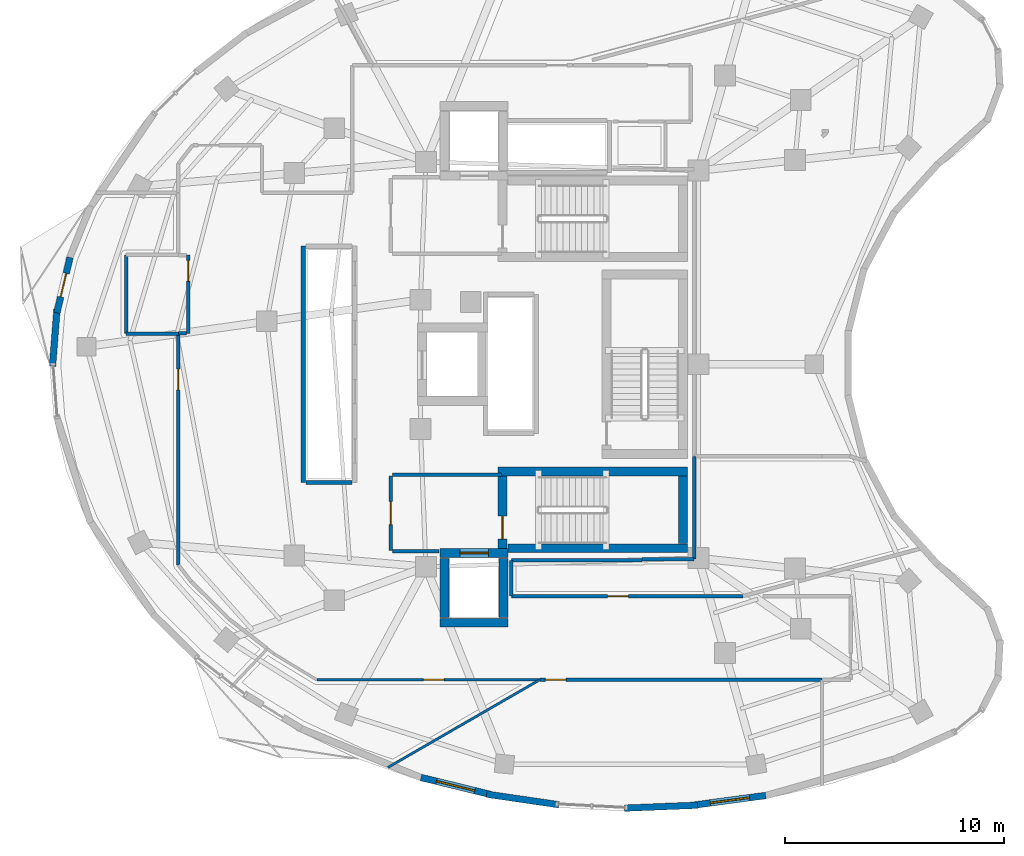
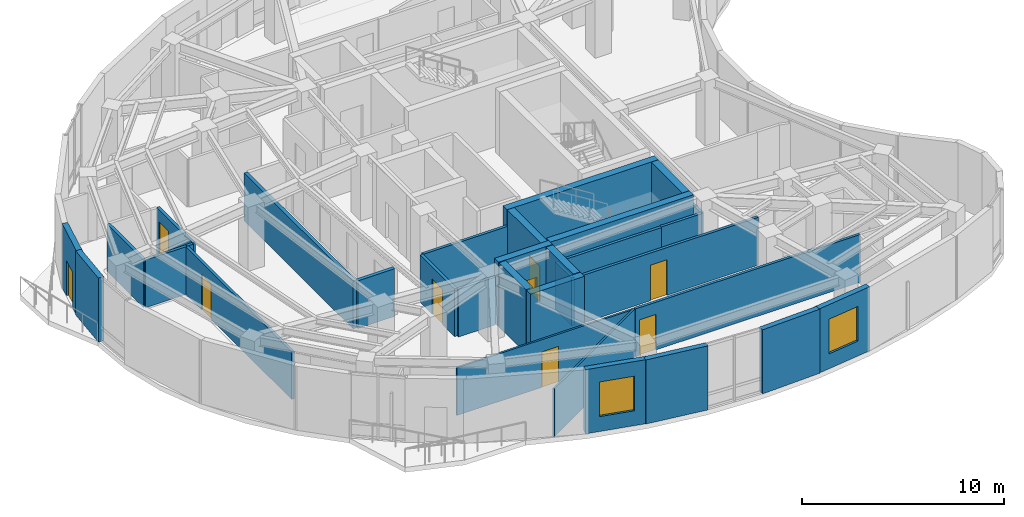
# One storey, part 7 of 13: 32 walls, 9 doors, 2 windows, 11 openings.
"""IFC4 building model written with IfcOpenShell, lengths in metres."""

import ifcopenshell
import ifcopenshell.guid

model = None  # the IFC model being written
_history = None  # IfcOwnerHistory: only IFC2X3 demands one
_inside = {}  # id of a spatial element -> (the spatial element, [elements in it])
_under = {}  # id of a project, library or spatial element -> (it, [spatial elements below it])
_declared = {}  # id of a project -> (the project, [libraries it declares])
_typed = {}  # id of a type object -> (the type object, [elements of that type])
_made_of = {}  # id of a material, layer set ... -> (it, [elements and type objects made of it])


def new_model(schema):
    """Start an empty IFC model of exactly this schema.

    Asked for "IFC4X3", IfcOpenShell would pick the latest addendum, in which some entities
    have other attributes; the version numbers below select the first issue.
    IFC2X3 requires an IfcOwnerHistory on every rooted entity: one is made here for all.
    """
    global model, _history
    if schema == "IFC4X3":
        model = ifcopenshell.file(schema_version=(4, 3, 0, 0))
    else:
        model = ifcopenshell.file(schema=schema)
    _inside.clear()
    _under.clear()
    _declared.clear()
    _typed.clear()
    _made_of.clear()
    _history = None
    if model.schema == "IFC2X3":
        org = make("IfcOrganization", Name="unknown")
        user = make(
            "IfcPersonAndOrganization",
            ThePerson=make("IfcPerson", FamilyName="unknown"),
            TheOrganization=org,
        )
        app = make(
            "IfcApplication",
            ApplicationDeveloper=org,
            Version="unknown",
            ApplicationFullName="unknown",
            ApplicationIdentifier="unknown",
        )
        _history = make(
            "IfcOwnerHistory",
            OwningUser=user,
            OwningApplication=app,
            ChangeAction="ADDED",
            CreationDate=0,
        )
    return model


def make(cls, **values):
    """One entity of the class cls with the attributes given. An attribute that is None is left unset."""
    return model.create_entity(
        cls, **{name: value for name, value in values.items() if value is not None}
    )


def rooted(cls, **values):
    """An entity with a GlobalId (a new one), such as an element, a storey or a relation."""
    return make(cls, GlobalId=ifcopenshell.guid.new(), OwnerHistory=_history, **values)


def si_unit(unit_type, name, prefix=None):
    """IfcSIUnit, for example si_unit("LENGTHUNIT", "METRE", prefix="MILLI")."""
    return make("IfcSIUnit", UnitType=unit_type, Prefix=prefix, Name=name)


def assignment(units):
    """IfcUnitAssignment: the units of a project."""
    return None if units is None else make("IfcUnitAssignment", Units=units)


def point(xyz):
    """IfcCartesianPoint."""
    return None if xyz is None else make("IfcCartesianPoint", Coordinates=xyz)


def direction(xyz):
    """IfcDirection."""
    return None if xyz is None else make("IfcDirection", DirectionRatios=xyz)


def frame(location, z_axis=None, x_axis=None):
    """IfcAxis2Placement3D, a coordinate frame: its origin and axes. An axis left out is left unset."""
    return make(
        "IfcAxis2Placement3D",
        Location=point(location),
        Axis=direction(z_axis),
        RefDirection=direction(x_axis),
    )


def frame_2d(location, x_axis=None):
    """IfcAxis2Placement2D, a coordinate frame in the plane: its origin and x axis."""
    return make(
        "IfcAxis2Placement2D", Location=point(location), RefDirection=direction(x_axis)
    )


def origin():
    """The frame at (0, 0, 0) with its axes left unset."""
    return frame((0.0, 0.0, 0.0))


def place(relative_to, where):
    """IfcLocalPlacement: puts the frame where relative to a parent placement (None: the world)."""
    return make(
        "IfcLocalPlacement", PlacementRelTo=relative_to, RelativePlacement=where
    )


def context(
    kind, dimensions, precision=None, world=None, true_north=None, identifier=None
):
    """IfcGeometricRepresentationContext, for example the 3D "Model" context."""
    return make(
        "IfcGeometricRepresentationContext",
        ContextIdentifier=identifier,
        ContextType=kind,
        CoordinateSpaceDimension=dimensions,
        Precision=precision,
        WorldCoordinateSystem=world,
        TrueNorth=true_north,
    )


def subcontext(parent, identifier, kind, view, scale=None):
    """IfcGeometricRepresentationSubContext, for example "Body" below "Model"."""
    return make(
        "IfcGeometricRepresentationSubContext",
        ContextIdentifier=identifier,
        ContextType=kind,
        ParentContext=parent,
        TargetScale=scale,
        TargetView=view,
    )


def project(units=None, contexts=None):
    """IfcProject with its units and contexts."""
    return rooted(
        "IfcProject",
        Name="project",
        RepresentationContexts=contexts,
        UnitsInContext=assignment(units),
    )


def spatial(cls, under=None, at=None, **own):
    """A site, building, storey or space (cls), placed at a placement, below another one or the project."""
    s = rooted(cls, ObjectPlacement=at, **own)
    if under is not None:
        _under.setdefault(under.id(), (under, []))[1].append(s)
    return s


def profile(cls, at=None, kind="AREA", **sizes):
    """A parametric profile (cls). Its sizes go by their IFC names, for example OverallWidth=200.0."""
    return make(cls, ProfileType=kind, Position=at, **sizes)


def rectangle(**sizes):
    """IfcRectangleProfileDef."""
    return profile("IfcRectangleProfileDef", **sizes)


def extrude(swept, where, along, depth):
    """IfcExtrudedAreaSolid: the profile swept, set in the frame where, extruded along a direction by depth."""
    return make(
        "IfcExtrudedAreaSolid",
        SweptArea=swept,
        Position=where,
        ExtrudedDirection=direction(along),
        Depth=depth,
    )


def shape(context_of_items, identifier, shape_type, items):
    """IfcShapeRepresentation: the items that make up one representation, for example the "Body"."""
    return make(
        "IfcShapeRepresentation",
        ContextOfItems=context_of_items,
        RepresentationIdentifier=identifier,
        RepresentationType=shape_type,
        Items=items,
    )


def material(Name=None, Category=None):
    """IfcMaterial."""
    return make("IfcMaterial", Name=Name, Category=Category)


def layer(
    of_material, thickness, ventilated=None, Name=None, Category=None, Priority=None
):
    """IfcMaterialLayer: one layer of a wall or slab, of a material (None: an air gap)."""
    return make(
        "IfcMaterialLayer",
        Material=of_material,
        LayerThickness=thickness,
        IsVentilated=ventilated,
        Name=Name,
        Category=Category,
        Priority=Priority,
    )


def layer_set(layers, Name=None):
    """IfcMaterialLayerSet."""
    return make("IfcMaterialLayerSet", MaterialLayers=layers, LayerSetName=Name)


def made_of(thing, what):
    """Note that an element or type object is made of a material, layer set ...; save() writes the relation."""
    if what is not None:
        _made_of.setdefault(what.id(), (what, []))[1].append(thing)
    return thing


def type_object(cls, material=None, **own):
    """A type object (cls), such as IfcWallType, which elements share."""
    return made_of(rooted(cls, **own), material)


def element(
    cls,
    number,
    at=None,
    inside=None,
    cuts=None,
    type_object=None,
    material=None,
    context=None,
    identifier="Body",
    shape_type=None,
    held_by="IfcProductDefinitionShape",
    body=None,
    shapes=None,
    **own,
):
    """One element of the class cls, such as IfcWall. Its Tag is "e" and its number.

    at: its placement. inside: the storey or other place that contains it. cuts: it is an
    opening in that element (IfcRelVoidsElement). A single representation is given by context,
    identifier, shape_type and body (its items); several are given by shapes. held_by: the class
    of the entity that holds the representations. save() writes the other relations.
    """
    e = rooted(cls, Tag="e%d" % number, ObjectPlacement=at, **own)
    if body is not None:
        shapes = [shape(context, identifier, shape_type, body)]
    if shapes is not None:
        e.Representation = make(held_by, Representations=shapes)
    if inside is not None:
        _inside.setdefault(inside.id(), (inside, []))[1].append(e)
    if cuts is not None:
        rooted(
            "IfcRelVoidsElement", RelatingBuildingElement=cuts, RelatedOpeningElement=e
        )
    if type_object is not None:
        _typed.setdefault(type_object.id(), (type_object, []))[1].append(e)
    return made_of(e, material)


def fill(opening, filler):
    """IfcRelFillsElement: the door or window that sits in an opening."""
    return rooted(
        "IfcRelFillsElement",
        RelatingOpeningElement=opening,
        RelatedBuildingElement=filler,
    )


def aggregate(whole, parts):
    """IfcRelAggregates: a whole, such as a stair, and the parts it consists of."""
    return rooted("IfcRelAggregates", RelatingObject=whole, RelatedObjects=parts)


def save(model, path):
    """Write the relations noted so far, then the file.

    IfcRelAggregates (storeys below a building ...), IfcRelContainedInSpatialStructure (elements
    in a storey), IfcRelDefinesByType, IfcRelAssociatesMaterial and IfcRelDeclares: one each for
    every whole, place, type object, material and project.
    """
    for whole, parts in _under.values():
        aggregate(whole, parts)
    for where, things in _inside.values():
        rooted(
            "IfcRelContainedInSpatialStructure",
            RelatedElements=things,
            RelatingStructure=where,
        )
    for kind, things in _typed.values():
        rooted("IfcRelDefinesByType", RelatedObjects=things, RelatingType=kind)
    for what, things in _made_of.values():
        rooted("IfcRelAssociatesMaterial", RelatedObjects=things, RelatingMaterial=what)
    for by, libraries in _declared.values():
        rooted("IfcRelDeclares", RelatingContext=by, RelatedDefinitions=libraries)
    model.write(path)


model = new_model("IFC4")

# Units and contexts
model_context = context("Model", 3, precision=1e-05, world=origin(), true_north=direction((0.0, 1.0)))
body_context = subcontext(model_context, "Body", "Model", "MODEL_VIEW")
ifc_project = project(units=[si_unit("LENGTHUNIT", "METRE"), si_unit("AREAUNIT", "SQUARE_METRE"), si_unit("VOLUMEUNIT", "CUBIC_METRE"), si_unit("PLANEANGLEUNIT", "RADIAN"), si_unit("MASSUNIT", "GRAM", prefix="KILO")], contexts=[model_context])

# Site, building, storey
site_placement = place(None, origin())
site = spatial("IfcSite", under=ifc_project, at=site_placement, CompositionType="ELEMENT")
building_placement = place(site_placement, origin())
building = spatial("IfcBuilding", under=site, at=building_placement, Name="Korentha Bioscience Tower", CompositionType="ELEMENT")
storey_placement = place(building_placement, frame((0.0, 0.0, 273.0)))
storey = spatial("IfcBuildingStorey", under=building, at=storey_placement, Name="L63", CompositionType="ELEMENT", Elevation=273.0)

# Wall, opening, door
ifc_material_1 = material(Name="Double-Stud Acoustic Gypsum", Category="gypsum")
ifc_layer_1 = layer(ifc_material_1, 0.14990234375, Name="Double-Stud Acoustic Gypsum")
ifc_layer_set_1 = layer_set([ifc_layer_1], Name="Double-Stud Acoustic Gypsum (IW-L150)")
wall_type_1 = type_object("IfcWallType", Name="Acoustic Laboratory Partition Wall 150", PredefinedType="PARTITIONING", material=ifc_layer_set_1)
wall_1_placement = place(storey_placement, frame((30.314453125, 12.590087890625, 0.0), z_axis=(0.0, 0.0, 1.0), x_axis=(1.0, 0.0, 0.0)))
wall_1 = element("IfcWall", 1, at=wall_1_placement, inside=storey, type_object=wall_type_1, Name="L63 Staff Pantry Kitchenette 02 Entrance Wall", PredefinedType="PARTITIONING", context=body_context, shape_type="SweptSolid", body=[
    extrude(rectangle(XDim=12.883544921875, YDim=0.14990234375, at=frame_2d((6.44189453125, 0.0))), origin(), (0.0, 0.0, 1.0), 2.889892578125),
])
opening_1_placement = place(wall_1_placement, frame((0.239990234375, 0.0, 0.0)))
opening_1 = element("IfcOpeningElement", 2, at=opening_1_placement, cuts=wall_1, Name="Opening ID-10L", PredefinedType="OPENING", context=body_context, shape_type="SweptSolid", body=[
    extrude(rectangle(XDim=0.949951171875, YDim=2.14990234375, at=frame_2d((0.47509765625, 1.074951171875))), frame((0.0, 0.08984375, 0.0), z_axis=(0.0, -1.0, 0.0), x_axis=(1.0, 0.0, 0.0)), (0.0, 0.0, 1.0), 0.1796875),
])
ifc_material_2 = material(Name="Phenolic Laminate Timber Core", Category="wood")
door_type_1 = type_object("IfcDoorType", Name="Laboratory Single Leaf Door 950x2150 Left", OperationType="SINGLE_SWING_LEFT", PredefinedType="DOOR", material=ifc_material_2)
door_1_placement = place(opening_1_placement, origin())
door_1 = element("IfcDoor", 3, at=door_1_placement, inside=storey, type_object=door_type_1, Name="L63 Staff Pantry Kitchenette 02 Door", OperationType="SINGLE_SWING_LEFT", OverallHeight=2.14990234375, OverallWidth=0.949951171875, PredefinedType="DOOR", context=body_context, shape_type="SweptSolid", body=[
    extrude(rectangle(XDim=0.949951171875, YDim=2.14990234375, at=frame_2d((0.47509765625, 1.074951171875))), frame((0.0, 0.02490234375, 0.0), z_axis=(0.0, -1.0, 0.0), x_axis=(1.0, 0.0, 0.0)), (0.0, 0.0, 1.0), 0.050048828125),
])
fill(opening_1, door_1)

wall_2_placement = place(storey_placement, frame((13.7900390625, 28.389892578125, 0.0), z_axis=(0.0, 0.0, 1.0), x_axis=(0.0, -1.0, 0.0)))
wall_2 = element("IfcWall", 4, at=wall_2_placement, inside=storey, type_object=wall_type_1, Name="L63 Sky-Lobby Passenger Transfer Concourse 07 Entrance Wall", PredefinedType="PARTITIONING", context=body_context, shape_type="SweptSolid", body=[
    extrude(rectangle(XDim=10.5546875, YDim=0.14990234375, at=frame_2d((5.27734375, 0.0))), origin(), (0.0, 0.0, 1.0), 2.889892578125),
])
opening_2_placement = place(wall_2_placement, frame((1.6123046875, 0.0, 0.0)))
opening_2 = element("IfcOpeningElement", 5, at=opening_2_placement, cuts=wall_2, Name="Opening ID-10R", PredefinedType="OPENING", context=body_context, shape_type="SweptSolid", body=[
    extrude(rectangle(XDim=0.949951171875, YDim=2.14990234375, at=frame_2d((0.47509765625, 1.074951171875))), frame((0.0, 0.08984375, 0.0), z_axis=(0.0, -1.0, 0.0), x_axis=(1.0, 0.0, 0.0)), (0.0, 0.0, 1.0), 0.1796875),
])
door_type_2 = type_object("IfcDoorType", Name="Laboratory Single Leaf Door 950x2150 Right", OperationType="SINGLE_SWING_RIGHT", PredefinedType="DOOR", material=ifc_material_2)
door_2_placement = place(opening_2_placement, origin())
door_2 = element("IfcDoor", 6, at=door_2_placement, inside=storey, type_object=door_type_2, Name="L63 Sky-Lobby Passenger Transfer Concourse 07 Door", OperationType="SINGLE_SWING_RIGHT", OverallHeight=2.14990234375, OverallWidth=0.949951171875, PredefinedType="DOOR", context=body_context, shape_type="SweptSolid", body=[
    extrude(rectangle(XDim=0.949951171875, YDim=2.14990234375, at=frame_2d((0.47509765625, 1.074951171875))), frame((0.0, 0.02490234375, 0.0), z_axis=(0.0, -1.0, 0.0), x_axis=(1.0, 0.0, 0.0)), (0.0, 0.0, 1.0), 0.050048828125),
])
fill(opening_2, door_2)

ifc_material_3 = material(Name="Fire-Rated Framed Glass", Category="glass")
ifc_layer_2 = layer(ifc_material_3, 0.110107421875, Name="Fire-Rated Framed Glass")
ifc_layer_set_2 = layer_set([ifc_layer_2], Name="Fire-Rated Framed Glass (IW-G110)")
wall_type_2 = type_object("IfcWallType", Name="Demountable Glazed Office Partition 110", PredefinedType="MOVABLE", material=ifc_layer_set_2)
wall_3_placement = place(storey_placement, frame((20.114013671875, 12.590087890625, 0.0), z_axis=(0.0, 0.0, 1.0), x_axis=(1.0, 0.0, 0.0)))
wall_3 = element("IfcWall", 7, at=wall_3_placement, inside=storey, type_object=wall_type_2, Name="L63 Research Colloquium Seminar Room 01 Entrance Wall", PredefinedType="MOVABLE", context=body_context, shape_type="SweptSolid", body=[
    extrude(rectangle(XDim=10.1884765625, YDim=0.110107421875, at=frame_2d((5.09423828125, 0.0))), origin(), (0.0, 0.0, 1.0), 2.889892578125),
])
opening_3_placement = place(wall_3_placement, frame((4.86962890625, 0.0, 0.0)))
opening_3 = element("IfcOpeningElement", 8, at=opening_3_placement, cuts=wall_3, Name="Opening ID-10R", PredefinedType="OPENING", context=body_context, shape_type="SweptSolid", body=[
    extrude(rectangle(XDim=0.949951171875, YDim=2.14990234375, at=frame_2d((0.47509765625, 1.074951171875))), frame((0.0, 0.06982421875, 0.0), z_axis=(0.0, -1.0, 0.0), x_axis=(1.0, 0.0, 0.0)), (0.0, 0.0, 1.0), 0.139892578125),
])
door_3_placement = place(opening_3_placement, origin())
door_3 = element("IfcDoor", 9, at=door_3_placement, inside=storey, type_object=door_type_2, Name="L63 Research Colloquium Seminar Room 01 Door", OperationType="SINGLE_SWING_RIGHT", OverallHeight=2.14990234375, OverallWidth=0.949951171875, PredefinedType="DOOR", context=body_context, shape_type="SweptSolid", body=[
    extrude(rectangle(XDim=0.949951171875, YDim=2.14990234375, at=frame_2d((0.47509765625, 1.074951171875))), frame((0.0, 0.02490234375, 0.0), z_axis=(0.0, -1.0, 0.0), x_axis=(1.0, 0.0, 0.0)), (0.0, 0.0, 1.0), 0.050048828125),
])
fill(opening_3, door_3)

# Wall
wall_4_placement = place(storey_placement, frame((30.302490234375, 12.590087890625, 0.0), z_axis=(0.0, 0.0, 1.0), x_axis=(-0.866017589642, -0.500013534248, 0.0)))
element("IfcWall", 10, at=wall_4_placement, inside=storey, type_object=wall_type_2, Name="L63 Interior Partition 020", PredefinedType="MOVABLE", context=body_context, shape_type="SweptSolid", body=[
    extrude(rectangle(XDim=8.010498046875, YDim=0.110107421875, at=frame_2d((4.00537109375, 0.0))), origin(), (0.0, 0.0, 1.0), 2.889892578125),
])

# Wall, opening, door
ifc_material_4 = material(Name="Gypsum-Clad Steel Stud", Category="steel")
ifc_layer_3 = layer(ifc_material_4, 0.159912109375, Name="Gypsum-Clad Steel Stud")
ifc_layer_set_3 = layer_set([ifc_layer_3], Name="Gypsum-Clad Steel Stud (IW-C160)")
wall_type_3 = type_object("IfcWallType", Name="Fire-Rated Corridor Partition Wall 160", PredefinedType="PARTITIONING", material=ifc_layer_set_3)
wall_5_placement = place(storey_placement, frame((23.5, 18.5, 0.0), z_axis=(0.0, 0.0, 1.0), x_axis=(0.0, 1.0, 0.0)))
wall_5 = element("IfcWall", 11, at=wall_5_placement, inside=storey, type_object=wall_type_3, Name="L63 FFLS-CW Rated Enclosure Wall", PredefinedType="PARTITIONING", context=body_context, shape_type="SweptSolid", body=[
    extrude(rectangle(XDim=3.39990234375, YDim=0.159912109375, at=frame_2d((1.699951171875, 0.0))), origin(), (0.0, 0.0, 1.0), 2.889892578125),
])
opening_4_placement = place(wall_5_placement, frame((1.175048828125, 0.0, 0.0)))
opening_4 = element("IfcOpeningElement", 12, at=opening_4_placement, cuts=wall_5, Name="Opening FD-90R", PredefinedType="OPENING", context=body_context, shape_type="SweptSolid", body=[
    extrude(rectangle(XDim=1.050048828125, YDim=2.14990234375, at=frame_2d((0.52490234375, 1.074951171875))), frame((0.0, 0.0947265625, 0.0), z_axis=(0.0, -1.0, 0.0), x_axis=(1.0, 0.0, 0.0)), (0.0, 0.0, 1.0), 0.189697265625),
])
ifc_material_5 = material(Name="Powder-Coated Fire-Rated Steel", Category="steel")
door_type_3 = type_object("IfcDoorType", Name="Stairwell Fire Exit Door 1050x2150 Right", OperationType="SINGLE_SWING_RIGHT", PredefinedType="DOOR", material=ifc_material_5)
door_4_placement = place(opening_4_placement, origin())
door_4 = element("IfcDoor", 13, at=door_4_placement, inside=storey, type_object=door_type_3, Name="L63 South Firefighting Lobby Door", OperationType="SINGLE_SWING_RIGHT", OverallHeight=2.14990234375, OverallWidth=1.050048828125, PredefinedType="DOOR", context=body_context, shape_type="SweptSolid", body=[
    extrude(rectangle(XDim=1.050048828125, YDim=2.14990234375, at=frame_2d((0.52490234375, 1.074951171875))), frame((0.0, 0.02490234375, 0.0), z_axis=(0.0, -1.0, 0.0), x_axis=(1.0, 0.0, 0.0)), (0.0, 0.0, 1.0), 0.050048828125),
])
fill(opening_4, door_4)

# Walls
wall_6_placement = place(storey_placement, frame((23.580078125, 21.949951171875, 0.0), z_axis=(0.0, 0.0, 1.0), x_axis=(1.0, 0.0, 0.0)))
element("IfcWall", 14, at=wall_6_placement, inside=storey, type_object=wall_type_3, Name="L63 Firefighting Lobby Return Wall FFLS-N", PredefinedType="PARTITIONING", context=body_context, shape_type="SweptSolid", body=[
    extrude(rectangle(XDim=4.969970703125, YDim=0.159912109375, at=frame_2d((2.48486328125, 0.0))), origin(), (0.0, 0.0, 1.0), 2.889892578125),
])
wall_7_placement = place(storey_placement, frame((23.580078125, 18.449951171875, 0.0), z_axis=(0.0, 0.0, 1.0), x_axis=(1.0, 0.0, 0.0)))
element("IfcWall", 15, at=wall_7_placement, inside=storey, type_object=wall_type_3, Name="L63 Firefighting Lobby Return Wall FFLS-S", PredefinedType="PARTITIONING", context=body_context, shape_type="SweptSolid", body=[
    extrude(rectangle(XDim=2.119873046875, YDim=0.159912109375, at=frame_2d((1.06005859375, 0.0))), origin(), (0.0, 0.0, 1.0), 2.889892578125),
])

# Wall, opening, door
wall_8_placement = place(storey_placement, frame((14.239990234375, 31.989990234375, 0.0), z_axis=(0.0, 0.0, 1.0), x_axis=(0.0, -1.0, 0.0)))
wall_8 = element("IfcWall", 16, at=wall_8_placement, inside=storey, type_object=wall_type_3, Name="L63 Reclaimed Bank-1 North Data Closet Entrance Wall", PredefinedType="PARTITIONING", context=body_context, shape_type="SweptSolid", body=[
    extrude(rectangle(XDim=3.580078125, YDim=0.159912109375, at=frame_2d((1.7900390625, 0.0))), origin(), (0.0, 0.0, 1.0), 2.889892578125),
])
opening_5_placement = place(wall_8_placement, frame((0.239990234375, 0.0, 0.0)))
opening_5 = element("IfcOpeningElement", 17, at=opening_5_placement, cuts=wall_8, Name="Opening ID-10L", PredefinedType="OPENING", context=body_context, shape_type="SweptSolid", body=[
    extrude(rectangle(XDim=0.949951171875, YDim=2.14990234375, at=frame_2d((0.47509765625, 1.074951171875))), frame((0.0, 0.0947265625, 0.0), z_axis=(0.0, -1.0, 0.0), x_axis=(1.0, 0.0, 0.0)), (0.0, 0.0, 1.0), 0.189697265625),
])
door_5_placement = place(opening_5_placement, origin())
door_5 = element("IfcDoor", 18, at=door_5_placement, inside=storey, type_object=door_type_1, Name="L63 Reclaimed Bank-1 North Data Closet Door", OperationType="SINGLE_SWING_LEFT", OverallHeight=2.14990234375, OverallWidth=0.949951171875, PredefinedType="DOOR", context=body_context, shape_type="SweptSolid", body=[
    extrude(rectangle(XDim=0.949951171875, YDim=2.14990234375, at=frame_2d((0.47509765625, 1.074951171875))), frame((0.0, 0.02490234375, 0.0), z_axis=(0.0, -1.0, 0.0), x_axis=(1.0, 0.0, 0.0)), (0.0, 0.0, 1.0), 0.050048828125),
])
fill(opening_5, door_5)

wall_9_placement = place(storey_placement, frame((39.5830078125, 16.409912109375, 0.0), z_axis=(0.0, 0.0, 1.0), x_axis=(-1.0, 0.0, 0.0)))
wall_9 = element("IfcWall", 19, at=wall_9_placement, inside=storey, type_object=wall_type_3, Name="L63 Biospecimen Archive Store 03 Entrance Wall", PredefinedType="PARTITIONING", context=body_context, shape_type="SweptSolid", body=[
    extrude(rectangle(XDim=10.5830078125, YDim=0.159912109375, at=frame_2d((5.29150390625, 0.0))), origin(), (0.0, 0.0, 1.0), 2.889892578125),
])
opening_6_placement = place(wall_9_placement, frame((5.236572265625, 0.0, 0.0)))
opening_6 = element("IfcOpeningElement", 20, at=opening_6_placement, cuts=wall_9, Name="Opening ID-10R", PredefinedType="OPENING", context=body_context, shape_type="SweptSolid", body=[
    extrude(rectangle(XDim=0.949951171875, YDim=2.14990234375, at=frame_2d((0.47509765625, 1.074951171875))), frame((0.0, 0.0947265625, 0.0), z_axis=(0.0, -1.0, 0.0), x_axis=(1.0, 0.0, 0.0)), (0.0, 0.0, 1.0), 0.189697265625),
])
door_6_placement = place(opening_6_placement, origin())
door_6 = element("IfcDoor", 21, at=door_6_placement, inside=storey, type_object=door_type_2, Name="L63 Biospecimen Archive Store 03 Door", OperationType="SINGLE_SWING_RIGHT", OverallHeight=2.14990234375, OverallWidth=0.949951171875, PredefinedType="DOOR", context=body_context, shape_type="SweptSolid", body=[
    extrude(rectangle(XDim=0.949951171875, YDim=2.14990234375, at=frame_2d((0.47509765625, 1.074951171875))), frame((0.0, 0.02490234375, 0.0), z_axis=(0.0, -1.0, 0.0), x_axis=(1.0, 0.0, 0.0)), (0.0, 0.0, 1.0), 0.050048828125),
])
fill(opening_6, door_6)

# Walls
wall_10_placement = place(storey_placement, frame((14.156982421875, 28.409912109375, 0.0), z_axis=(0.0, 0.0, 1.0), x_axis=(-1.0, 0.0, 0.0)))
element("IfcWall", 22, at=wall_10_placement, inside=storey, type_object=wall_type_3, Name="L63 Interior Partition 014", PredefinedType="PARTITIONING", context=body_context, shape_type="SweptSolid", body=[
    extrude(rectangle(XDim=0.35693359375, YDim=0.159912109375, at=frame_2d((0.178466796875, 0.0))), origin(), (0.0, 0.0, 1.0), 2.889892578125),
])
wall_11_placement = place(storey_placement, frame((13.7900390625, 28.39990234375, 0.0), z_axis=(0.0, 0.0, 1.0), x_axis=(-1.0, 0.0, 0.0)))
element("IfcWall", 23, at=wall_11_placement, inside=storey, type_object=wall_type_3, Name="L63 Interior Partition 015", PredefinedType="PARTITIONING", context=body_context, shape_type="SweptSolid", body=[
    extrude(rectangle(XDim=2.39013671875, YDim=0.159912109375, at=frame_2d((1.195068359375, 0.0))), origin(), (0.0, 0.0, 1.0), 2.889892578125),
])
wall_12_placement = place(storey_placement, frame((11.39990234375, 28.39990234375, 0.0), z_axis=(0.0, 0.0, 1.0), x_axis=(0.0, 1.0, 0.0)))
element("IfcWall", 24, at=wall_12_placement, inside=storey, type_object=wall_type_3, Name="L63 Interior Partition 016", PredefinedType="PARTITIONING", context=body_context, shape_type="SweptSolid", body=[
    extrude(rectangle(XDim=3.60009765625, YDim=0.159912109375, at=frame_2d((1.800048828125, 0.0))), origin(), (0.0, 0.0, 1.0), 2.889892578125),
])
wall_13_placement = place(storey_placement, frame((29.000244140625, 18.048095703125, 0.0), z_axis=(0.0, 0.0, 1.0), x_axis=(1.0, 0.0, 0.0)))
element("IfcWall", 25, at=wall_13_placement, inside=storey, type_object=wall_type_3, Name="L63 Interior Partition 023", PredefinedType="PARTITIONING", context=body_context, shape_type="SweptSolid", body=[
    extrude(rectangle(XDim=5.976806640625, YDim=0.159912109375, at=frame_2d((2.98828125, 0.0))), origin(), (0.0, 0.0, 1.0), 2.889892578125),
])
wall_14_placement = place(storey_placement, frame((34.97705078125, 18.090087890625, 0.0), z_axis=(0.0, 0.0, 1.0), x_axis=(1.0, 0.0, 0.0)))
element("IfcWall", 26, at=wall_14_placement, inside=storey, type_object=wall_type_3, Name="L63 Interior Partition 024", PredefinedType="PARTITIONING", context=body_context, shape_type="SweptSolid", body=[
    extrude(rectangle(XDim=2.373046875, YDim=0.159912109375, at=frame_2d((1.1865234375, 0.0))), origin(), (0.0, 0.0, 1.0), 2.889892578125),
])
wall_15_placement = place(storey_placement, frame((37.360107421875, 18.10009765625, 0.0), z_axis=(0.0, 0.0, 1.0), x_axis=(0.0, 1.0, 0.0)))
element("IfcWall", 27, at=wall_15_placement, inside=storey, type_object=wall_type_3, Name="L63 Interior Partition 025", PredefinedType="PARTITIONING", context=body_context, shape_type="SweptSolid", body=[
    extrude(rectangle(XDim=4.697998046875, YDim=0.159912109375, at=frame_2d((2.34912109375, 0.0))), origin(), (0.0, 0.0, 1.0), 2.889892578125),
])
wall_16_placement = place(storey_placement, frame((29.0, 16.409912109375, 0.0), z_axis=(0.0, 0.0, 1.0), x_axis=(0.0, 1.0, 0.0)))
element("IfcWall", 28, at=wall_16_placement, inside=storey, type_object=wall_type_3, Name="L63 Interior Partition 030", PredefinedType="PARTITIONING", context=body_context, shape_type="SweptSolid", body=[
    extrude(rectangle(XDim=1.637939453125, YDim=0.159912109375, at=frame_2d((0.81884765625, 0.0))), origin(), (0.0, 0.0, 1.0), 2.889892578125),
])

# Wall, opening, door
ifc_material_6 = material(Name="Honed Limestone Precast Concrete C40", Category="masonry")
ifc_layer_4 = layer(ifc_material_6, 0.300048828125, Name="Honed Limestone Precast Concrete C40")
ifc_layer_set_4 = layer_set([ifc_layer_4], Name="Honed Limestone Precast Concrete C40 (EW-ST300)")
wall_type_4 = type_object("IfcWallType", Name="Honed Limestone Cavity Spandrel Wall 300", PredefinedType="STANDARD", material=ifc_layer_set_4)
wall_17_placement = place(storey_placement, frame((8.842529296875, 31.88330078125, 0.0), z_axis=(0.0, 0.0, 1.0), x_axis=(-0.230698003521, -0.973025401093, 0.0)))
wall_17 = element("IfcWall", 29, at=wall_17_placement, inside=storey, type_object=wall_type_4, Name="L63 Balcony Threshold Wall 02", PredefinedType="STANDARD", context=body_context, shape_type="SweptSolid", body=[
    extrude(rectangle(XDim=2.60009765625, YDim=0.300048828125, at=frame_2d((1.300048828125, 0.0))), origin(), (0.0, 0.0, 1.0), 3.8798828125),
])
opening_7_placement = place(wall_17_placement, frame((0.75, 0.0, 0.0)))
opening_7 = element("IfcOpeningElement", 30, at=opening_7_placement, cuts=wall_17, Name="Opening BD-11R", PredefinedType="OPENING", context=body_context, shape_type="SweptSolid", body=[
    extrude(rectangle(XDim=1.10009765625, YDim=2.14990234375, at=frame_2d((0.550048828125, 1.074951171875))), frame((0.0, 0.1650390625, 0.0), z_axis=(0.0, -1.0, 0.0), x_axis=(1.0, 0.0, 0.0)), (0.0, 0.0, 1.0), 0.329833984375),
])
ifc_material_7 = material(Name="Thermally Broken Glazed Aluminium", Category="aluminium")
door_type_4 = type_object("IfcDoorType", Name="Balcony Terrace Glazed Door 1100x2150 Right", OperationType="SINGLE_SWING_RIGHT", PredefinedType="DOOR", material=ifc_material_7)
door_7_placement = place(opening_7_placement, origin())
door_7 = element("IfcDoor", 31, at=door_7_placement, inside=storey, type_object=door_type_4, Name="L63 Balcony Access Door 02", OperationType="SINGLE_SWING_RIGHT", OverallHeight=2.14990234375, OverallWidth=1.10009765625, PredefinedType="DOOR", context=body_context, shape_type="SweptSolid", body=[
    extrude(rectangle(XDim=1.10009765625, YDim=2.14990234375, at=frame_2d((0.550048828125, 1.074951171875))), frame((0.0, 0.02490234375, 0.0), z_axis=(0.0, -1.0, 0.0), x_axis=(1.0, 0.0, 0.0)), (0.0, 0.0, 1.0), 0.050048828125),
])
fill(opening_7, door_7)

# Wall, opening, window
wall_18_placement = place(storey_placement, frame((24.8779296875, 8.125732421875, 0.0), z_axis=(0.0, 0.0, 1.0), x_axis=(0.971310768778, -0.237813772636, 0.0)))
wall_18 = element("IfcWall", 32, at=wall_18_placement, inside=storey, type_object=wall_type_4, Name="L63 Honed Limestone Spandrel Wall 29", PredefinedType="STANDARD", context=body_context, shape_type="SweptSolid", body=[
    extrude(rectangle(XDim=3.250244140625, YDim=0.300048828125, at=frame_2d((1.625, 0.0))), origin(), (0.0, 0.0, 1.0), 3.8798828125),
])
opening_8_placement = place(wall_18_placement, frame((0.72509765625, 0.0, 0.89990234375)))
opening_8 = element("IfcOpeningElement", 33, at=opening_8_placement, cuts=wall_18, Name="Opening WN-01", PredefinedType="OPENING", context=body_context, shape_type="SweptSolid", body=[
    extrude(rectangle(XDim=1.800048828125, YDim=2.10009765625, at=frame_2d((0.89990234375, 1.050048828125))), frame((0.0, 0.1650390625, 0.0), z_axis=(0.0, -1.0, 0.0), x_axis=(1.0, 0.0, 0.0)), (0.0, 0.0, 1.0), 0.329833984375),
])
ifc_material_8 = material(Name="Thermally Broken Aluminium Triple Glazing", Category="aluminium")
window_type = type_object("IfcWindowType", Name="Triple-Glazed Fixed Bioscience Window 1800x2100", PartitioningType="SINGLE_PANEL", PredefinedType="WINDOW", material=ifc_material_8)
window_1_placement = place(opening_8_placement, origin())
window_1 = element("IfcWindow", 34, at=window_1_placement, inside=storey, type_object=window_type, Name="L63 Facade Window 29", OverallHeight=2.10009765625, OverallWidth=1.800048828125, PartitioningType="SINGLE_PANEL", PredefinedType="WINDOW", context=body_context, shape_type="SweptSolid", body=[
    extrude(rectangle(XDim=1.800048828125, YDim=2.10009765625, at=frame_2d((0.89990234375, 1.050048828125))), frame((0.0, 0.030029296875, 0.0), z_axis=(0.0, -1.0, 0.0), x_axis=(1.0, 0.0, 0.0)), (0.0, 0.0, 1.0), 0.06005859375),
])
fill(opening_8, window_1)

wall_19_placement = place(storey_placement, frame((37.361572265625, 6.865478515625, 0.0), z_axis=(0.0, 0.0, 1.0), x_axis=(0.991126551491, 0.132921627022, 0.0)))
wall_19 = element("IfcWall", 35, at=wall_19_placement, inside=storey, type_object=wall_type_4, Name="L63 Honed Limestone Spandrel Wall 33", PredefinedType="STANDARD", context=body_context, shape_type="SweptSolid", body=[
    extrude(rectangle(XDim=3.29150390625, YDim=0.300048828125, at=frame_2d((1.645751953125, 0.0))), origin(), (0.0, 0.0, 1.0), 3.8798828125),
])
opening_9_placement = place(wall_19_placement, frame((0.74560546875, 0.0, 0.89990234375)))
opening_9 = element("IfcOpeningElement", 36, at=opening_9_placement, cuts=wall_19, Name="Opening WN-01", PredefinedType="OPENING", context=body_context, shape_type="SweptSolid", body=[
    extrude(rectangle(XDim=1.800048828125, YDim=2.10009765625, at=frame_2d((0.89990234375, 1.050048828125))), frame((0.0, 0.1650390625, 0.0), z_axis=(0.0, -1.0, 0.0), x_axis=(1.0, 0.0, 0.0)), (0.0, 0.0, 1.0), 0.329833984375),
])
window_2_placement = place(opening_9_placement, origin())
window_2 = element("IfcWindow", 37, at=window_2_placement, inside=storey, type_object=window_type, Name="L63 Facade Window 33", OverallHeight=2.10009765625, OverallWidth=1.800048828125, PartitioningType="SINGLE_PANEL", PredefinedType="WINDOW", context=body_context, shape_type="SweptSolid", body=[
    extrude(rectangle(XDim=1.800048828125, YDim=2.10009765625, at=frame_2d((0.89990234375, 1.050048828125))), frame((0.0, 0.030029296875, 0.0), z_axis=(0.0, -1.0, 0.0), x_axis=(1.0, 0.0, 0.0)), (0.0, 0.0, 1.0), 0.06005859375),
])
fill(opening_9, window_2)

# Walls
wall_20_placement = place(storey_placement, frame((8.24658203125, 29.517333984375, 0.0), z_axis=(0.0, 0.0, 1.0), x_axis=(-0.078109406708, -0.996944793147, 0.0)))
element("IfcWall", 38, at=wall_20_placement, inside=storey, type_object=wall_type_4, Name="L63 Limestone Perimeter Closure Wall 18", PredefinedType="STANDARD", context=body_context, shape_type="SweptSolid", body=[
    extrude(rectangle(XDim=2.6162109375, YDim=0.300048828125, at=frame_2d((1.30810546875, 0.0))), origin(), (0.0, 0.0, 1.0), 3.8798828125),
])
wall_21_placement = place(storey_placement, frame((27.87939453125, 7.36181640625, 0.0), z_axis=(0.0, 0.0, 1.0), x_axis=(0.989457987501, -0.144820202219, 0.0)))
element("IfcWall", 39, at=wall_21_placement, inside=storey, type_object=wall_type_4, Name="L63 Limestone Perimeter Closure Wall 30", PredefinedType="STANDARD", context=body_context, shape_type="SweptSolid", body=[
    extrude(rectangle(XDim=3.327880859375, YDim=0.300048828125, at=frame_2d((1.6640625, 0.0))), origin(), (0.0, 0.0, 1.0), 3.8798828125),
])
wall_22_placement = place(storey_placement, frame((34.17041015625, 6.723388671875, 0.0), z_axis=(0.0, 0.0, 1.0), x_axis=(0.999189974351, 0.040241709167, 0.0)))
element("IfcWall", 40, at=wall_22_placement, inside=storey, type_object=wall_type_4, Name="L63 Limestone Perimeter Closure Wall 32", PredefinedType="STANDARD", context=body_context, shape_type="SweptSolid", body=[
    extrude(rectangle(XDim=3.348876953125, YDim=0.300048828125, at=frame_2d((1.67431640625, 0.0))), origin(), (0.0, 0.0, 1.0), 3.8798828125),
])
ifc_material_9 = material(Name="Autoclaved Aerated Concrete Block C25", Category="concrete")
ifc_layer_5 = layer(ifc_material_9, 0.199951171875, Name="Autoclaved Aerated Concrete Block C25")
ifc_layer_set_5 = layer_set([ifc_layer_5], Name="Autoclaved Aerated Concrete Block C25 (IW-S200)")
wall_type_5 = type_object("IfcWallType", Name="Lift and Riser Shaft Enclosure Wall 200", PredefinedType="PARTITIONING", material=ifc_layer_set_5)
wall_23_placement = place(storey_placement, frame((19.5, 21.60009765625, 0.0), z_axis=(0.0, 0.0, 1.0), x_axis=(0.0, 1.0, 0.0)))
element("IfcWall", 41, at=wall_23_placement, inside=storey, type_object=wall_type_5, Name="L63 Lift Bank MID Shaft Wall -X", PredefinedType="PARTITIONING", context=body_context, shape_type="SweptSolid", body=[
    extrude(rectangle(XDim=10.7998046875, YDim=0.199951171875, at=frame_2d((5.39990234375, 0.0))), origin(), (0.0, 0.0, 1.0), 2.889892578125),
])
wall_24_placement = place(storey_placement, frame((19.6201171875, 21.60009765625, 0.0), z_axis=(0.0, 0.0, 1.0), x_axis=(1.0, 0.0, 0.0)))
element("IfcWall", 42, at=wall_24_placement, inside=storey, type_object=wall_type_5, Name="L63 Lift Bank MID Shaft Wall -Y", PredefinedType="PARTITIONING", context=body_context, shape_type="SweptSolid", body=[
    extrude(rectangle(XDim=2.10986328125, YDim=0.199951171875, at=frame_2d((1.054931640625, 0.0))), origin(), (0.0, 0.0, 1.0), 2.889892578125),
])
ifc_material_10 = material(Name="Concrete C65", Category="concrete")
ifc_layer_6 = layer(ifc_material_10, 0.39990234375, Name="Concrete C65")
ifc_layer_set_6 = layer_set([ifc_layer_6], Name="Concrete C65 (CW-C65)")
wall_type_6 = type_object("IfcWallType", Name="Mid-Rise Core Shear Wall 400", PredefinedType="SHEAR", material=ifc_layer_set_6)
wall_25_placement = place(storey_placement, frame((28.85205078125, 18.60009765625, 0.0), z_axis=(0.0, 0.0, 1.0), x_axis=(1.0, 0.0, 0.0)))
element("IfcWall", 43, at=wall_25_placement, inside=storey, type_object=wall_type_6, Name="L63 Core Shear Wall ST2-S", PredefinedType="SHEAR", context=body_context, shape_type="SweptSolid", body=[
    extrude(rectangle(XDim=8.197998046875, YDim=0.39990234375, at=frame_2d((4.09912109375, 0.0))), origin(), (0.0, 0.0, 1.0), 3.8798828125),
])
wall_26_placement = place(storey_placement, frame((28.39990234375, 22.10009765625, 0.0), z_axis=(0.0, 0.0, 1.0), x_axis=(1.0, 0.0, 0.0)))
element("IfcWall", 44, at=wall_26_placement, inside=storey, type_object=wall_type_6, Name="L63 Core Shear Wall ST2-N", PredefinedType="SHEAR", context=body_context, shape_type="SweptSolid", body=[
    extrude(rectangle(XDim=8.650146484375, YDim=0.39990234375, at=frame_2d((4.3251953125, 0.0))), origin(), (0.0, 0.0, 1.0), 3.8798828125),
])
wall_27_placement = place(storey_placement, frame((36.85009765625, 18.81005859375, 0.0), z_axis=(0.0, 0.0, 1.0), x_axis=(0.0, 1.0, 0.0)))
element("IfcWall", 45, at=wall_27_placement, inside=storey, type_object=wall_type_6, Name="L63 Core Shear Wall ST2-E", PredefinedType="SHEAR", context=body_context, shape_type="SweptSolid", body=[
    extrude(rectangle(XDim=3.079833984375, YDim=0.39990234375, at=frame_2d((1.5400390625, 0.0))), origin(), (0.0, 0.0, 1.0), 3.8798828125),
])

# Wall, opening, door
wall_28_placement = place(storey_placement, frame((28.60009765625, 18.58203125, 0.0), z_axis=(0.0, 0.0, 1.0), x_axis=(0.0, 1.0, 0.0)))
wall_28 = element("IfcWall", 46, at=wall_28_placement, inside=storey, type_object=wall_type_6, Name="L63 Core Shear Wall ST2-W", PredefinedType="SHEAR", context=body_context, shape_type="SweptSolid", body=[
    extrude(rectangle(XDim=3.307861328125, YDim=0.39990234375, at=frame_2d((1.65380859375, 0.0))), origin(), (0.0, 0.0, 1.0), 3.8798828125),
])
opening_10_placement = place(wall_28_placement, frame((0.427978515625, 0.0, 0.0)))
opening_10 = element("IfcOpeningElement", 47, at=opening_10_placement, cuts=wall_28, Name="Opening FD-90R", PredefinedType="OPENING", context=body_context, shape_type="SweptSolid", body=[
    extrude(rectangle(XDim=1.050048828125, YDim=2.14990234375, at=frame_2d((0.52490234375, 1.074951171875))), frame((0.0, 0.21484375, 0.0), z_axis=(0.0, -1.0, 0.0), x_axis=(1.0, 0.0, 0.0)), (0.0, 0.0, 1.0), 0.4296875),
])
door_8_placement = place(opening_10_placement, origin())
door_8 = element("IfcDoor", 48, at=door_8_placement, inside=storey, type_object=door_type_3, Name="L63 ST-2 Fire Exit Stair Door", OperationType="SINGLE_SWING_RIGHT", OverallHeight=2.14990234375, OverallWidth=1.050048828125, PredefinedType="DOOR", context=body_context, shape_type="SweptSolid", body=[
    extrude(rectangle(XDim=1.050048828125, YDim=2.14990234375, at=frame_2d((0.52490234375, 1.074951171875))), frame((0.0, 0.02490234375, 0.0), z_axis=(0.0, -1.0, 0.0), x_axis=(1.0, 0.0, 0.0)), (0.0, 0.0, 1.0), 0.050048828125),
])
fill(opening_10, door_8)

# Wall
wall_29_placement = place(storey_placement, frame((25.75, 15.199951171875, 0.0), z_axis=(0.0, 0.0, 1.0), x_axis=(1.0, 0.0, 0.0)))
element("IfcWall", 49, at=wall_29_placement, inside=storey, type_object=wall_type_6, Name="L63 Core Shear Wall FFL1-S", PredefinedType="SHEAR", context=body_context, shape_type="SweptSolid", body=[
    extrude(rectangle(XDim=3.10009765625, YDim=0.39990234375, at=frame_2d((1.550048828125, 0.0))), origin(), (0.0, 0.0, 1.0), 3.8798828125),
])

# Wall, opening, door
wall_30_placement = place(storey_placement, frame((25.75, 18.3798828125, 0.0), z_axis=(0.0, 0.0, 1.0), x_axis=(1.0, 0.0, 0.0)))
wall_30 = element("IfcWall", 50, at=wall_30_placement, inside=storey, type_object=wall_type_6, Name="L63 Core Shear Wall FFL1-N", PredefinedType="SHEAR", context=body_context, shape_type="SweptSolid", body=[
    extrude(rectangle(XDim=3.10009765625, YDim=0.39990234375, at=frame_2d((1.550048828125, 0.0))), origin(), (0.0, 0.0, 1.0), 3.8798828125),
])
opening_11_placement = place(wall_30_placement, frame((0.89990234375, 0.0, 0.0)))
opening_11 = element("IfcOpeningElement", 51, at=opening_11_placement, cuts=wall_30, Name="Opening LD-13", PredefinedType="OPENING", context=body_context, shape_type="SweptSolid", body=[
    extrude(rectangle(XDim=1.300048828125, YDim=2.199951171875, at=frame_2d((0.64990234375, 1.10009765625))), frame((0.0, 0.21484375, 0.0), z_axis=(0.0, -1.0, 0.0), x_axis=(1.0, 0.0, 0.0)), (0.0, 0.0, 1.0), 0.4296875),
])
ifc_material_11 = material(Name="Brushed Stainless Steel 316", Category="steel")
door_type_5 = type_object("IfcDoorType", Name="Service & Firefighting Lift Landing Door 1300x2300", OperationType="DOUBLE_DOOR_SLIDING", PredefinedType="DOOR", material=ifc_material_11)
door_9_placement = place(opening_11_placement, origin())
door_9 = element("IfcDoor", 52, at=door_9_placement, inside=storey, type_object=door_type_5, Name="L63 FFL-1 Sliding Lift Landing Door", OperationType="DOUBLE_DOOR_SLIDING", OverallHeight=2.199951171875, OverallWidth=1.300048828125, PredefinedType="DOOR", context=body_context, shape_type="SweptSolid", body=[
    extrude(rectangle(XDim=1.300048828125, YDim=2.199951171875, at=frame_2d((0.64990234375, 1.10009765625))), frame((0.0, 0.02490234375, 0.0), z_axis=(0.0, -1.0, 0.0), x_axis=(1.0, 0.0, 0.0)), (0.0, 0.0, 1.0), 0.050048828125),
])
fill(opening_11, door_9)

# Walls
for number, where, z_axis, x_axis, name in (
    (53, (25.949951171875, 15.43994140625, 0.0), (0.0, 0.0, 1.0), (0.0, 1.0, 0.0), "L63 Core Shear Wall FFL1-W"),
    (54, (28.64990234375, 15.43994140625, 0.0), (0.0, 0.0, 1.0), (0.0, 1.0, 0.0), "L63 Core Shear Wall FFL1-E"),
):
    element("IfcWall", number, at=place(storey_placement, frame(where, z_axis=z_axis, x_axis=x_axis)), inside=storey, type_object=wall_type_6, Name=name, PredefinedType="SHEAR", context=body_context, shape_type="SweptSolid", body=[
        extrude(rectangle(XDim=2.699951171875, YDim=0.39990234375, at=frame_2d((1.35009765625, 0.0))), origin(), (0.0, 0.0, 1.0), 3.8798828125),
    ])

save(model, "model.ifc")
